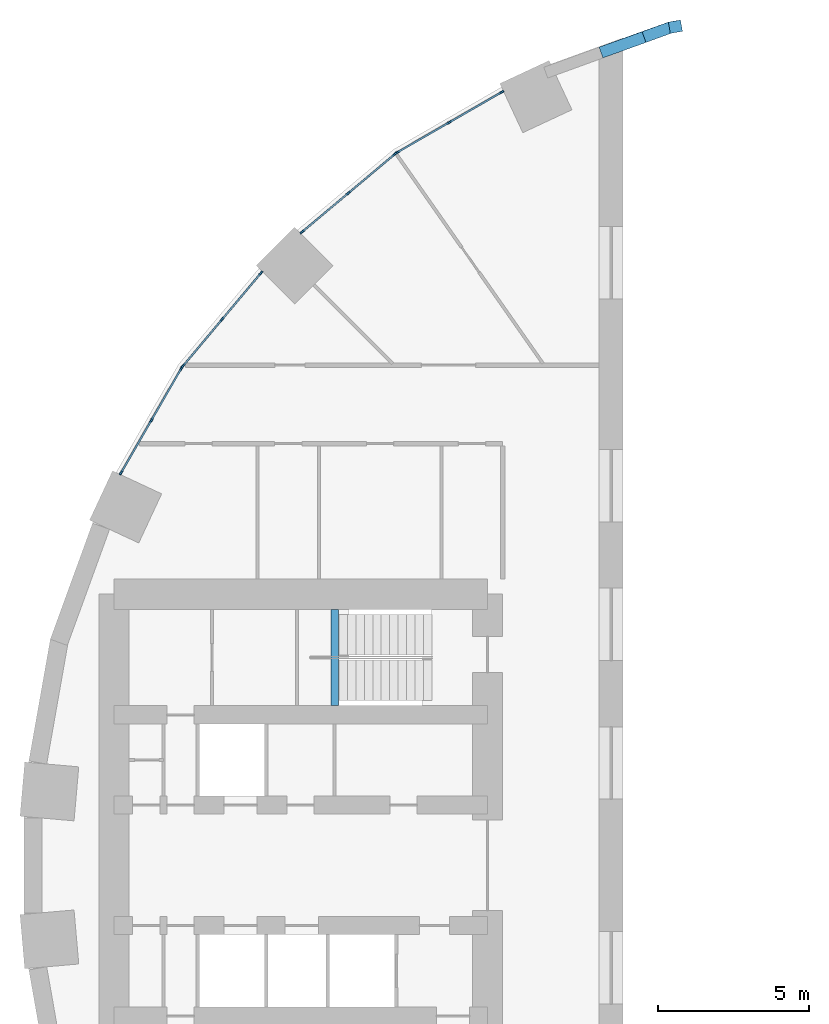
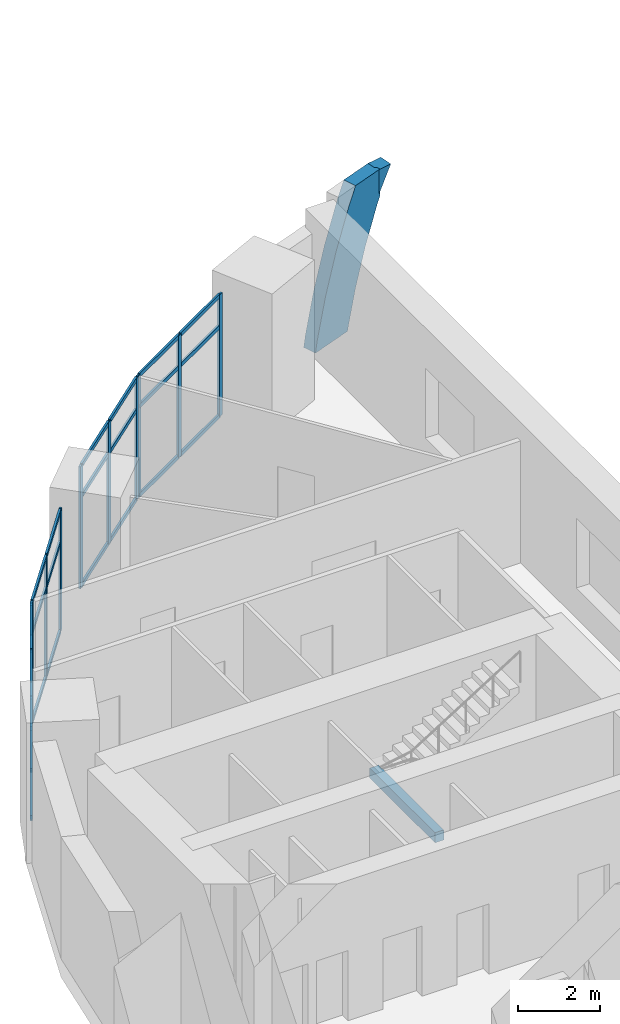
# One storey, part 4 of 13: 38 members, 1 beam, 4 elements without a shape of their own.
"""IFC4 building model written with IfcOpenShell, lengths in metres."""

from ifc_helpers import new_model, si_unit, direction, frame, origin, origin_2d, place, context, subcontext, project, spatial, polyline, rectangle, hollow_rectangle, outline, extrude, material, layer, layer_set, material_profile, profile_set, type_object, element, aggregate, save


model = new_model("IFC4")

# Units and contexts
model_context = context("Model", 3, precision=1e-05, world=origin(), true_north=direction((0.0, 1.0)))
body_context = subcontext(model_context, "Body", "Model", "MODEL_VIEW")
ifc_project = project(units=[si_unit("LENGTHUNIT", "METRE"), si_unit("AREAUNIT", "SQUARE_METRE"), si_unit("VOLUMEUNIT", "CUBIC_METRE"), si_unit("PLANEANGLEUNIT", "RADIAN"), si_unit("MASSUNIT", "GRAM", prefix="KILO")], contexts=[model_context])

# Site, building, storey
site_placement = place(None, origin())
site = spatial("IfcSite", under=ifc_project, at=site_placement, CompositionType="ELEMENT")
building_placement = place(site_placement, origin())
building = spatial("IfcBuilding", under=site, at=building_placement, Name="Saqina Gate Tower", CompositionType="ELEMENT")
storey_placement = place(building_placement, frame((0.0, 0.0, 9.199951171875)))
storey = spatial("IfcBuildingStorey", under=building, at=storey_placement, Name="L02", CompositionType="ELEMENT", Elevation=9.199951171875)

# Curtain wall, members
ifc_material_1 = material(Name="Aluminium glazing", Category="aluminium")
ifc_layer = layer(ifc_material_1, 0.159912109375)
ifc_layer_set = layer_set([ifc_layer], Name="CWT-1")
curtain_wall_type = type_object("IfcCurtainWallType", Name="CWT-1", PredefinedType="NOTDEFINED", material=ifc_layer_set)
curtain_wall_1_placement = place(storey_placement, origin())
curtain_wall_1 = element("IfcCurtainWall", 1, at=curtain_wall_1_placement, inside=storey, type_object=curtain_wall_type, Name="Podium shopfront facet 12", PredefinedType="NOTDEFINED")
ifc_material_2 = material(Name="Aluminium", Category="aluminium")
ifc_material_profile_1 = material_profile(ifc_material_2, rectangle(XDim=0.06005859375, YDim=0.159912109375, at=origin_2d()), Name="Aluminium 60x160")
ifc_profile_set_1 = profile_set([ifc_material_profile_1], Name="Aluminium")
member_type_1 = type_object("IfcMemberType", Name="CWT-1M", PredefinedType="MULLION", material=ifc_profile_set_1)
member_1_placement = place(storey_placement, frame((-13.03466796875, 25.66015625, 0.0), z_axis=(0.0, 0.0, 1.0), x_axis=(0.500013894893, -0.866017381415, 0.0)))
member_1 = element("IfcMember", 2, at=member_1_placement, type_object=member_type_1, Name="CW1-12 mullion 1", PredefinedType="MULLION", context=body_context, shape_type="SweptSolid", body=[
    extrude(rectangle(XDim=0.06005859375, YDim=0.159912109375, at=origin_2d()), origin(), (0.0, 0.0, 1.0), 3.650146484375),
])
member_2_placement = place(storey_placement, frame((-14.770751953125, 24.65771484375, 0.0), z_axis=(0.0, 0.0, 1.0), x_axis=(0.500013894893, -0.866017381415, 0.0)))
member_2 = element("IfcMember", 3, at=member_2_placement, type_object=member_type_1, Name="CW1-12 mullion 2", PredefinedType="MULLION", context=body_context, shape_type="SweptSolid", body=[
    extrude(rectangle(XDim=0.06005859375, YDim=0.159912109375, at=origin_2d()), origin(), (0.0, 0.0, 1.0), 3.650146484375),
])
member_3_placement = place(storey_placement, frame((-16.5068359375, 23.655517578125, 0.0), z_axis=(0.0, 0.0, 1.0), x_axis=(0.500013894893, -0.866017381415, 0.0)))
member_3 = element("IfcMember", 4, at=member_3_placement, type_object=member_type_1, Name="CW1-12 mullion 3", PredefinedType="MULLION", context=body_context, shape_type="SweptSolid", body=[
    extrude(rectangle(XDim=0.06005859375, YDim=0.159912109375, at=origin_2d()), origin(), (0.0, 0.0, 1.0), 3.650146484375),
])

curtain_wall_2_placement = place(storey_placement, origin())
curtain_wall_2 = element("IfcCurtainWall", 5, at=curtain_wall_2_placement, inside=storey, type_object=curtain_wall_type, Name="Podium shopfront facet 13", PredefinedType="NOTDEFINED")
member_4_placement = place(storey_placement, frame((-16.583251953125, 23.601806640625, 0.0), z_axis=(0.0, 0.0, 1.0), x_axis=(0.642779322911, -0.766051396473, 0.0)))
member_4 = element("IfcMember", 6, at=member_4_placement, type_object=member_type_1, Name="CW1-13 mullion 1", PredefinedType="MULLION", context=body_context, shape_type="SweptSolid", body=[
    extrude(rectangle(XDim=0.06005859375, YDim=0.159912109375, at=origin_2d()), origin(), (0.0, 0.0, 1.0), 3.650146484375),
])
member_5_placement = place(storey_placement, frame((-18.118896484375, 22.3134765625, 0.0), z_axis=(0.0, 0.0, 1.0), x_axis=(0.642779322911, -0.766051396473, 0.0)))
member_5 = element("IfcMember", 7, at=member_5_placement, type_object=member_type_1, Name="CW1-13 mullion 2", PredefinedType="MULLION", context=body_context, shape_type="SweptSolid", body=[
    extrude(rectangle(XDim=0.06005859375, YDim=0.159912109375, at=origin_2d()), origin(), (0.0, 0.0, 1.0), 3.650146484375),
])
member_6_placement = place(storey_placement, frame((-19.654296875, 21.02490234375, 0.0), z_axis=(0.0, 0.0, 1.0), x_axis=(0.642779322911, -0.766051396473, 0.0)))
member_6 = element("IfcMember", 8, at=member_6_placement, type_object=member_type_1, Name="CW1-13 mullion 3", PredefinedType="MULLION", context=body_context, shape_type="SweptSolid", body=[
    extrude(rectangle(XDim=0.06005859375, YDim=0.159912109375, at=origin_2d()), origin(), (0.0, 0.0, 1.0), 3.650146484375),
])

curtain_wall_3_placement = place(storey_placement, origin())
curtain_wall_3 = element("IfcCurtainWall", 9, at=curtain_wall_3_placement, inside=storey, type_object=curtain_wall_type, Name="Podium shopfront facet 14", PredefinedType="NOTDEFINED")
member_7_placement = place(storey_placement, frame((-21.02490234375, 19.654296875, 0.0), z_axis=(0.0, 0.0, 1.0), x_axis=(0.766051396473, -0.642779322911, 0.0)))
member_7 = element("IfcMember", 10, at=member_7_placement, type_object=member_type_1, Name="CW1-14 mullion 1", PredefinedType="MULLION", context=body_context, shape_type="SweptSolid", body=[
    extrude(rectangle(XDim=0.06005859375, YDim=0.159912109375, at=origin_2d()), origin(), (0.0, 0.0, 1.0), 3.650146484375),
])
member_8_placement = place(storey_placement, frame((-22.3134765625, 18.118896484375, 0.0), z_axis=(0.0, 0.0, 1.0), x_axis=(0.766051396473, -0.642779322911, 0.0)))
member_8 = element("IfcMember", 11, at=member_8_placement, type_object=member_type_1, Name="CW1-14 mullion 2", PredefinedType="MULLION", context=body_context, shape_type="SweptSolid", body=[
    extrude(rectangle(XDim=0.06005859375, YDim=0.159912109375, at=origin_2d()), origin(), (0.0, 0.0, 1.0), 3.650146484375),
])
member_9_placement = place(storey_placement, frame((-23.601806640625, 16.583251953125, 0.0), z_axis=(0.0, 0.0, 1.0), x_axis=(0.766051396473, -0.642779322911, 0.0)))
member_9 = element("IfcMember", 12, at=member_9_placement, type_object=member_type_1, Name="CW1-14 mullion 3", PredefinedType="MULLION", context=body_context, shape_type="SweptSolid", body=[
    extrude(rectangle(XDim=0.06005859375, YDim=0.159912109375, at=origin_2d()), origin(), (0.0, 0.0, 1.0), 3.650146484375),
])

curtain_wall_4_placement = place(storey_placement, origin())
curtain_wall_4 = element("IfcCurtainWall", 13, at=curtain_wall_4_placement, inside=storey, type_object=curtain_wall_type, Name="Podium shopfront facet 15", PredefinedType="NOTDEFINED")
member_10_placement = place(storey_placement, frame((-23.655517578125, 16.5068359375, 0.0), z_axis=(0.0, 0.0, 1.0), x_axis=(0.866017381415, -0.500013894893, 0.0)))
member_10 = element("IfcMember", 14, at=member_10_placement, type_object=member_type_1, Name="CW1-15 mullion 1", PredefinedType="MULLION", context=body_context, shape_type="SweptSolid", body=[
    extrude(rectangle(XDim=0.06005859375, YDim=0.159912109375, at=origin_2d()), origin(), (0.0, 0.0, 1.0), 3.650146484375),
])
member_11_placement = place(storey_placement, frame((-24.65771484375, 14.770751953125, 0.0), z_axis=(0.0, 0.0, 1.0), x_axis=(0.866017381415, -0.500013894893, 0.0)))
member_11 = element("IfcMember", 15, at=member_11_placement, type_object=member_type_1, Name="CW1-15 mullion 2", PredefinedType="MULLION", context=body_context, shape_type="SweptSolid", body=[
    extrude(rectangle(XDim=0.06005859375, YDim=0.159912109375, at=origin_2d()), origin(), (0.0, 0.0, 1.0), 3.650146484375),
])
member_12_placement = place(storey_placement, frame((-25.66015625, 13.03466796875, 0.0), z_axis=(0.0, 0.0, 1.0), x_axis=(0.866017381415, -0.500013894893, 0.0)))
member_12 = element("IfcMember", 16, at=member_12_placement, type_object=member_type_1, Name="CW1-15 mullion 3", PredefinedType="MULLION", context=body_context, shape_type="SweptSolid", body=[
    extrude(rectangle(XDim=0.06005859375, YDim=0.159912109375, at=origin_2d()), origin(), (0.0, 0.0, 1.0), 3.650146484375),
])

# Member
ifc_material_3 = material(Name="Aluminium", Category="aluminium")
ifc_material_profile_2 = material_profile(ifc_material_3, rectangle(XDim=0.06005859375, YDim=0.1201171875, at=origin_2d()), Name="Aluminium 60x120")
ifc_profile_set_2 = profile_set([ifc_material_profile_2], Name="Aluminium")
member_type_2 = type_object("IfcMemberType", Name="CWT-1T", PredefinedType="USERDEFINED", material=ifc_profile_set_2)
member_13_placement = place(storey_placement, frame((-13.060791015625, 25.64501953125, 0.030029296875), z_axis=(-0.866055964107, -0.499947064232, 0.0), x_axis=(0.499947064232, -0.866055964107, 0.0)))
member_13 = element("IfcMember", 17, at=member_13_placement, type_object=member_type_2, Name="CW1-12 transom 1.1", ObjectType="TRANSOM", PredefinedType="USERDEFINED", context=body_context, shape_type="SweptSolid", body=[
    extrude(rectangle(XDim=0.06005859375, YDim=0.1201171875, at=origin_2d()), origin(), (0.0, 0.0, 1.0), 1.944580078125),
])

member_14_placement = place(storey_placement, frame((-13.060791015625, 25.64501953125, 2.699951171875), z_axis=(-0.866055964107, -0.499947064232, 0.0), x_axis=(0.499947064232, -0.866055964107, 0.0)))
member_14 = element("IfcMember", 18, at=member_14_placement, type_object=member_type_2, Name="CW1-12 transom 1.2", ObjectType="TRANSOM", PredefinedType="USERDEFINED", context=body_context, shape_type="SweptSolid", body=[
    extrude(rectangle(XDim=0.06005859375, YDim=0.1201171875, at=origin_2d()), origin(), (0.0, 0.0, 1.0), 1.944580078125),
])

member_15_placement = place(storey_placement, frame((-13.060791015625, 25.64501953125, 3.6201171875), z_axis=(-0.866055964107, -0.499947064232, 0.0), x_axis=(0.499947064232, -0.866055964107, 0.0)))
member_15 = element("IfcMember", 19, at=member_15_placement, type_object=member_type_2, Name="CW1-12 transom 1.3", ObjectType="TRANSOM", PredefinedType="USERDEFINED", context=body_context, shape_type="SweptSolid", body=[
    extrude(rectangle(XDim=0.06005859375, YDim=0.1201171875, at=origin_2d()), origin(), (0.0, 0.0, 1.0), 1.944580078125),
])

member_16_placement = place(storey_placement, frame((-14.796630859375, 24.642822265625, 0.030029296875), z_axis=(-0.866001600736, -0.500041225824, 0.0), x_axis=(0.500041225824, -0.866001600736, 0.0)))
member_16 = element("IfcMember", 20, at=member_16_placement, type_object=member_type_2, Name="CW1-12 transom 2.1", ObjectType="TRANSOM", PredefinedType="USERDEFINED", context=body_context, shape_type="SweptSolid", body=[
    extrude(rectangle(XDim=0.06005859375, YDim=0.1201171875, at=origin_2d()), origin(), (0.0, 0.0, 1.0), 1.944580078125),
])

member_17_placement = place(storey_placement, frame((-14.796630859375, 24.642822265625, 2.699951171875), z_axis=(-0.866001600736, -0.500041225824, 0.0), x_axis=(0.500041225824, -0.866001600736, 0.0)))
member_17 = element("IfcMember", 21, at=member_17_placement, type_object=member_type_2, Name="CW1-12 transom 2.2", ObjectType="TRANSOM", PredefinedType="USERDEFINED", context=body_context, shape_type="SweptSolid", body=[
    extrude(rectangle(XDim=0.06005859375, YDim=0.1201171875, at=origin_2d()), origin(), (0.0, 0.0, 1.0), 1.944580078125),
])

member_18_placement = place(storey_placement, frame((-14.796630859375, 24.642822265625, 3.6201171875), z_axis=(-0.866001600736, -0.500041225824, 0.0), x_axis=(0.500041225824, -0.866001600736, 0.0)))
member_18 = element("IfcMember", 22, at=member_18_placement, type_object=member_type_2, Name="CW1-12 transom 2.3", ObjectType="TRANSOM", PredefinedType="USERDEFINED", context=body_context, shape_type="SweptSolid", body=[
    extrude(rectangle(XDim=0.06005859375, YDim=0.1201171875, at=origin_2d()), origin(), (0.0, 0.0, 1.0), 1.944580078125),
])

aggregate(curtain_wall_1, [member_1, member_2, member_3, member_13, member_14, member_15, member_16, member_17, member_18])

member_19_placement = place(storey_placement, frame((-16.606201171875, 23.58251953125, 0.030029296875), z_axis=(-0.766117756196, -0.642700228444, 0.0), x_axis=(0.642700228444, -0.766117756196, 0.0)))
member_19 = element("IfcMember", 23, at=member_19_placement, type_object=member_type_2, Name="CW1-13 transom 1.1", ObjectType="TRANSOM", PredefinedType="USERDEFINED", context=body_context, shape_type="SweptSolid", body=[
    extrude(rectangle(XDim=0.06005859375, YDim=0.1201171875, at=origin_2d()), origin(), (0.0, 0.0, 1.0), 1.944580078125),
])

member_20_placement = place(storey_placement, frame((-16.606201171875, 23.58251953125, 2.699951171875), z_axis=(-0.766117756196, -0.642700228444, 0.0), x_axis=(0.642700228444, -0.766117756196, 0.0)))
member_20 = element("IfcMember", 24, at=member_20_placement, type_object=member_type_2, Name="CW1-13 transom 1.2", ObjectType="TRANSOM", PredefinedType="USERDEFINED", context=body_context, shape_type="SweptSolid", body=[
    extrude(rectangle(XDim=0.06005859375, YDim=0.1201171875, at=origin_2d()), origin(), (0.0, 0.0, 1.0), 1.944580078125),
])

member_21_placement = place(storey_placement, frame((-16.606201171875, 23.58251953125, 3.6201171875), z_axis=(-0.766117756196, -0.642700228444, 0.0), x_axis=(0.642700228444, -0.766117756196, 0.0)))
member_21 = element("IfcMember", 25, at=member_21_placement, type_object=member_type_2, Name="CW1-13 transom 1.3", ObjectType="TRANSOM", PredefinedType="USERDEFINED", context=body_context, shape_type="SweptSolid", body=[
    extrude(rectangle(XDim=0.06005859375, YDim=0.1201171875, at=origin_2d()), origin(), (0.0, 0.0, 1.0), 1.944580078125),
])

member_22_placement = place(storey_placement, frame((-18.141845703125, 22.294189453125, 0.030029296875), z_axis=(-0.76600406177, -0.642835731235, 0.0), x_axis=(0.642835731235, -0.76600406177, 0.0)))
member_22 = element("IfcMember", 26, at=member_22_placement, type_object=member_type_2, Name="CW1-13 transom 2.1", ObjectType="TRANSOM", PredefinedType="USERDEFINED", context=body_context, shape_type="SweptSolid", body=[
    extrude(rectangle(XDim=0.06005859375, YDim=0.1201171875, at=origin_2d()), origin(), (0.0, 0.0, 1.0), 1.944580078125),
])

member_23_placement = place(storey_placement, frame((-18.141845703125, 22.294189453125, 2.699951171875), z_axis=(-0.76600406177, -0.642835731235, 0.0), x_axis=(0.642835731235, -0.76600406177, 0.0)))
member_23 = element("IfcMember", 27, at=member_23_placement, type_object=member_type_2, Name="CW1-13 transom 2.2", ObjectType="TRANSOM", PredefinedType="USERDEFINED", context=body_context, shape_type="SweptSolid", body=[
    extrude(rectangle(XDim=0.06005859375, YDim=0.1201171875, at=origin_2d()), origin(), (0.0, 0.0, 1.0), 1.944580078125),
])

member_24_placement = place(storey_placement, frame((-18.141845703125, 22.294189453125, 3.6201171875), z_axis=(-0.76600406177, -0.642835731235, 0.0), x_axis=(0.642835731235, -0.76600406177, 0.0)))
member_24 = element("IfcMember", 28, at=member_24_placement, type_object=member_type_2, Name="CW1-13 transom 2.3", ObjectType="TRANSOM", PredefinedType="USERDEFINED", context=body_context, shape_type="SweptSolid", body=[
    extrude(rectangle(XDim=0.06005859375, YDim=0.1201171875, at=origin_2d()), origin(), (0.0, 0.0, 1.0), 1.944580078125),
])

aggregate(curtain_wall_2, [member_4, member_5, member_6, member_19, member_20, member_21, member_22, member_23, member_24])

member_25_placement = place(storey_placement, frame((-21.044189453125, 19.63134765625, 0.030029296875), z_axis=(-0.642835731235, -0.76600406177, 0.0), x_axis=(0.76600406177, -0.642835731235, 0.0)))
member_25 = element("IfcMember", 29, at=member_25_placement, type_object=member_type_2, Name="CW1-14 transom 1.1", ObjectType="TRANSOM", PredefinedType="USERDEFINED", context=body_context, shape_type="SweptSolid", body=[
    extrude(rectangle(XDim=0.06005859375, YDim=0.1201171875, at=origin_2d()), origin(), (0.0, 0.0, 1.0), 1.944580078125),
])

member_26_placement = place(storey_placement, frame((-21.044189453125, 19.63134765625, 2.699951171875), z_axis=(-0.642835731235, -0.76600406177, 0.0), x_axis=(0.76600406177, -0.642835731235, 0.0)))
member_26 = element("IfcMember", 30, at=member_26_placement, type_object=member_type_2, Name="CW1-14 transom 1.2", ObjectType="TRANSOM", PredefinedType="USERDEFINED", context=body_context, shape_type="SweptSolid", body=[
    extrude(rectangle(XDim=0.06005859375, YDim=0.1201171875, at=origin_2d()), origin(), (0.0, 0.0, 1.0), 1.944580078125),
])

member_27_placement = place(storey_placement, frame((-21.044189453125, 19.63134765625, 3.6201171875), z_axis=(-0.642835731235, -0.76600406177, 0.0), x_axis=(0.76600406177, -0.642835731235, 0.0)))
member_27 = element("IfcMember", 31, at=member_27_placement, type_object=member_type_2, Name="CW1-14 transom 1.3", ObjectType="TRANSOM", PredefinedType="USERDEFINED", context=body_context, shape_type="SweptSolid", body=[
    extrude(rectangle(XDim=0.06005859375, YDim=0.1201171875, at=origin_2d()), origin(), (0.0, 0.0, 1.0), 1.944580078125),
])

member_28_placement = place(storey_placement, frame((-22.332763671875, 18.095947265625, 0.030029296875), z_axis=(-0.642700228444, -0.766117756196, 0.0), x_axis=(0.766117756196, -0.642700228444, 0.0)))
member_28 = element("IfcMember", 32, at=member_28_placement, type_object=member_type_2, Name="CW1-14 transom 2.1", ObjectType="TRANSOM", PredefinedType="USERDEFINED", context=body_context, shape_type="SweptSolid", body=[
    extrude(rectangle(XDim=0.06005859375, YDim=0.1201171875, at=origin_2d()), origin(), (0.0, 0.0, 1.0), 1.944580078125),
])

member_29_placement = place(storey_placement, frame((-22.332763671875, 18.095947265625, 2.699951171875), z_axis=(-0.642700228444, -0.766117756196, 0.0), x_axis=(0.766117756196, -0.642700228444, 0.0)))
member_29 = element("IfcMember", 33, at=member_29_placement, type_object=member_type_2, Name="CW1-14 transom 2.2", ObjectType="TRANSOM", PredefinedType="USERDEFINED", context=body_context, shape_type="SweptSolid", body=[
    extrude(rectangle(XDim=0.06005859375, YDim=0.1201171875, at=origin_2d()), origin(), (0.0, 0.0, 1.0), 1.944580078125),
])

member_30_placement = place(storey_placement, frame((-22.332763671875, 18.095947265625, 3.6201171875), z_axis=(-0.642700228444, -0.766117756196, 0.0), x_axis=(0.766117756196, -0.642700228444, 0.0)))
member_30 = element("IfcMember", 34, at=member_30_placement, type_object=member_type_2, Name="CW1-14 transom 2.3", ObjectType="TRANSOM", PredefinedType="USERDEFINED", context=body_context, shape_type="SweptSolid", body=[
    extrude(rectangle(XDim=0.06005859375, YDim=0.1201171875, at=origin_2d()), origin(), (0.0, 0.0, 1.0), 1.944580078125),
])

aggregate(curtain_wall_3, [member_7, member_8, member_9, member_25, member_26, member_27, member_28, member_29, member_30])

member_31_placement = place(storey_placement, frame((-23.67041015625, 16.480712890625, 0.030029296875), z_axis=(-0.500041225824, -0.866001600736, 0.0), x_axis=(0.866001600736, -0.500041225824, 0.0)))
member_31 = element("IfcMember", 35, at=member_31_placement, type_object=member_type_2, Name="CW1-15 transom 1.1", ObjectType="TRANSOM", PredefinedType="USERDEFINED", context=body_context, shape_type="SweptSolid", body=[
    extrude(rectangle(XDim=0.06005859375, YDim=0.1201171875, at=origin_2d()), origin(), (0.0, 0.0, 1.0), 1.944580078125),
])

member_32_placement = place(storey_placement, frame((-23.67041015625, 16.480712890625, 2.699951171875), z_axis=(-0.500041225824, -0.866001600736, 0.0), x_axis=(0.866001600736, -0.500041225824, 0.0)))
member_32 = element("IfcMember", 36, at=member_32_placement, type_object=member_type_2, Name="CW1-15 transom 1.2", ObjectType="TRANSOM", PredefinedType="USERDEFINED", context=body_context, shape_type="SweptSolid", body=[
    extrude(rectangle(XDim=0.06005859375, YDim=0.1201171875, at=origin_2d()), origin(), (0.0, 0.0, 1.0), 1.944580078125),
])

member_33_placement = place(storey_placement, frame((-23.67041015625, 16.480712890625, 3.6201171875), z_axis=(-0.500041225824, -0.866001600736, 0.0), x_axis=(0.866001600736, -0.500041225824, 0.0)))
member_33 = element("IfcMember", 37, at=member_33_placement, type_object=member_type_2, Name="CW1-15 transom 1.3", ObjectType="TRANSOM", PredefinedType="USERDEFINED", context=body_context, shape_type="SweptSolid", body=[
    extrude(rectangle(XDim=0.06005859375, YDim=0.1201171875, at=origin_2d()), origin(), (0.0, 0.0, 1.0), 1.944580078125),
])

member_34_placement = place(storey_placement, frame((-24.6728515625, 14.744873046875, 0.030029296875), z_axis=(-0.499947064232, -0.866055964107, 0.0), x_axis=(0.866055964107, -0.499947064232, 0.0)))
member_34 = element("IfcMember", 38, at=member_34_placement, type_object=member_type_2, Name="CW1-15 transom 2.1", ObjectType="TRANSOM", PredefinedType="USERDEFINED", context=body_context, shape_type="SweptSolid", body=[
    extrude(rectangle(XDim=0.06005859375, YDim=0.1201171875, at=origin_2d()), origin(), (0.0, 0.0, 1.0), 1.944580078125),
])

member_35_placement = place(storey_placement, frame((-24.6728515625, 14.744873046875, 2.699951171875), z_axis=(-0.499947064232, -0.866055964107, 0.0), x_axis=(0.866055964107, -0.499947064232, 0.0)))
member_35 = element("IfcMember", 39, at=member_35_placement, type_object=member_type_2, Name="CW1-15 transom 2.2", ObjectType="TRANSOM", PredefinedType="USERDEFINED", context=body_context, shape_type="SweptSolid", body=[
    extrude(rectangle(XDim=0.06005859375, YDim=0.1201171875, at=origin_2d()), origin(), (0.0, 0.0, 1.0), 1.944580078125),
])

member_36_placement = place(storey_placement, frame((-24.6728515625, 14.744873046875, 3.6201171875), z_axis=(-0.499947064232, -0.866055964107, 0.0), x_axis=(0.866055964107, -0.499947064232, 0.0)))
member_36 = element("IfcMember", 40, at=member_36_placement, type_object=member_type_2, Name="CW1-15 transom 2.3", ObjectType="TRANSOM", PredefinedType="USERDEFINED", context=body_context, shape_type="SweptSolid", body=[
    extrude(rectangle(XDim=0.06005859375, YDim=0.1201171875, at=origin_2d()), origin(), (0.0, 0.0, 1.0), 1.944580078125),
])

aggregate(curtain_wall_4, [member_10, member_11, member_12, member_31, member_32, member_33, member_34, member_35, member_36])

# Beam
ifc_material_4 = material(Name="Concrete C40/50", Category="concrete")
ifc_material_profile_3 = material_profile(ifc_material_4, rectangle(XDim=0.25, YDim=0.300048828125, at=origin_2d()), Name="STAIR LANDING BEAM")
ifc_profile_set_3 = profile_set([ifc_material_profile_3], Name="Concrete C40/50")
beam_type = type_object("IfcBeamType", Name="STAIR LANDING BEAM", PredefinedType="BEAM", material=ifc_profile_set_3)
beam_placement = place(storey_placement, frame((-18.580078125, 5.300048828125, 1.699951171875), z_axis=(0.0, 1.0, 0.0), x_axis=(-1.0, 0.0, 0.0)))
element("IfcBeam", 41, at=beam_placement, inside=storey, type_object=beam_type, Name="EXIT STAIR 3 LANDING BEAM", PredefinedType="BEAM", context=body_context, shape_type="SweptSolid", body=[
    extrude(rectangle(XDim=0.25, YDim=0.300048828125, at=origin_2d()), origin(), (0.0, 0.0, 1.0), 3.199951171875),
])

# Members
ifc_material_5 = material(Name="Steel S355", Category="steel")
ifc_material_profile_4 = material_profile(ifc_material_5, hollow_rectangle(XDim=1.199951171875, YDim=0.3798828125, WallThickness=0.030029296875, at=origin_2d()), Name="BOX 1200x380x30")
ifc_profile_set_4 = profile_set([ifc_material_profile_4], Name="Steel S355")
member_type_3 = type_object("IfcMemberType", Name="STR-ARCH RIB-BOX 1200x380x30", PredefinedType="USERDEFINED", material=ifc_profile_set_4)
member_37_placement = place(storey_placement, frame((-7.5009765625, 27.9853515625, 4.199951171875), z_axis=(-0.174034836321, 0.984736667942, 0.002360202804), x_axis=(-0.000460853777, 0.002315331286, -0.999997213424)))
element("IfcMember", 42, at=member_37_placement, inside=storey, type_object=member_type_3, Name="ARCH RIB N L02 facet 10", ObjectType="ARCH RIB", PredefinedType="USERDEFINED", context=body_context, shape_type="SweptSolid", body=[
    extrude(outline(polyline([(0.0, 0.0), (0.5498060942724621, 3.7269449679189215e-20), (0.8000506681058834, -9.770848932912386e-05), (0.023173466462682053, -0.39496403138448416), (-2.1041619635609143e-05, -0.40880848742349646), (0.0, 0.0)])), origin(), (0.0, 0.0, -1.0), 0.3798828125),
])
member_38_placement = place(storey_placement, frame((-8.99365234375, 27.45068359375, 0.0), z_axis=(-0.341960377373, 0.9397123063, 0.001970201825), x_axis=(0.939714130221, 0.341961040855, 1.15102e-07)))
element("IfcMember", 43, at=member_38_placement, inside=storey, type_object=member_type_3, Name="ARCH RIB N L02 facet 11", ObjectType="ARCH RIB", PredefinedType="USERDEFINED", context=body_context, shape_type="SweptSolid", body=[
    extrude(outline(polyline([(0.0, 0.0), (0.3605990083932556, 0.0), (0.37434464868451744, -0.07202147257707002), (0.6635243372844616, -1.1367207568815796), (1.0329460406158117, -2.1792034792451163), (1.4806908923456175, -3.1943418328392768), (1.590197127228196, -3.3999085350772584), (1.5900301828672756, -3.650153094052104), (1.5900716580297507, -4.199959303472122), (0.6568694519379614, -4.199959354275301), (0.40056233357918125, -3.719245377540963), (-0.08316308300945113, -2.6223193623894248), (-0.4824748080074964, -1.494875939393452), (-0.7955164242282952, -0.34277426733985616), (-0.8615329668274959, -2.396867945050245e-07), (0.0, 0.0)])), origin(), (0.0, 0.0, -1.0), 0.3798828125),
])

save(model, "model.ifc")
